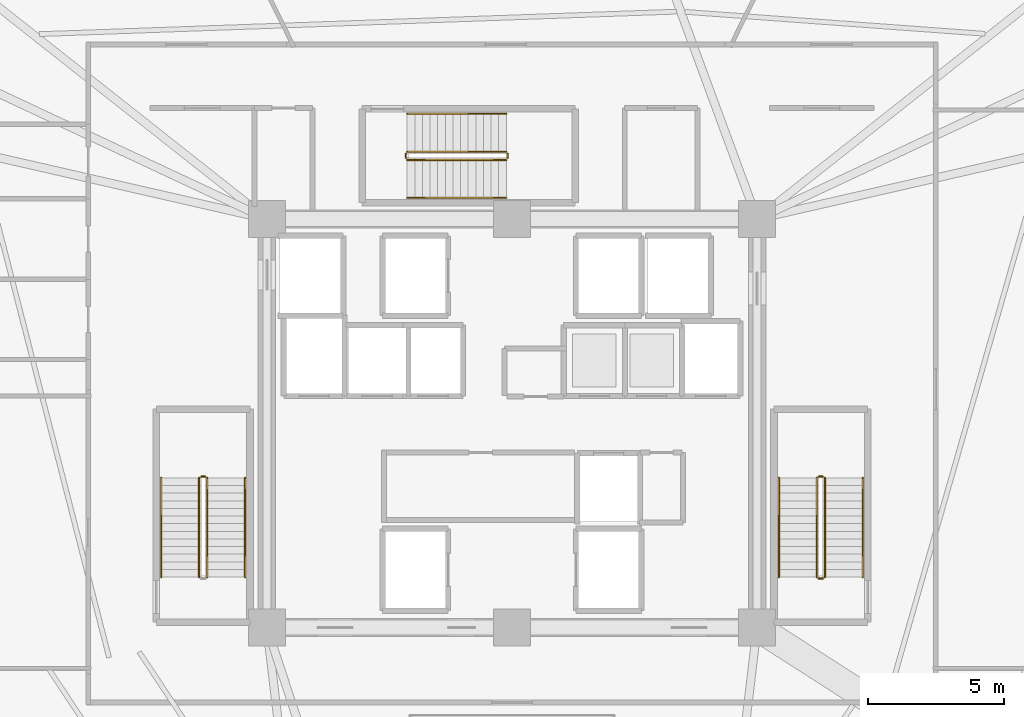
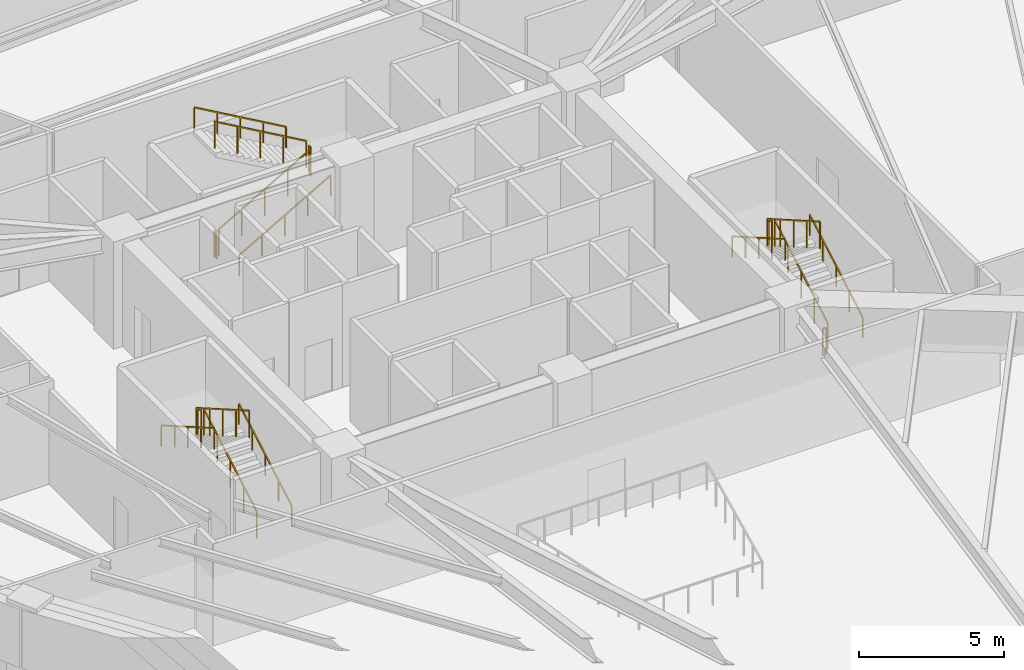
# One storey, part 38 of 39: 17 railings.
"""IFC4 building model written with IfcOpenShell, lengths in metres."""

from ifc_helpers import new_model, si_unit, direction, frame, origin, origin_2d, place, context, subcontext, project, spatial, rectangle, extrude, material, type_object, element, save


model = new_model("IFC4")

# Units and contexts
model_context = context("Model", 3, precision=1e-05, world=origin(), true_north=direction((0.0, 1.0)))
body_context = subcontext(model_context, "Body", "Model", "MODEL_VIEW")
ifc_project = project(units=[si_unit("LENGTHUNIT", "METRE"), si_unit("AREAUNIT", "SQUARE_METRE"), si_unit("VOLUMEUNIT", "CUBIC_METRE"), si_unit("PLANEANGLEUNIT", "RADIAN"), si_unit("MASSUNIT", "GRAM", prefix="KILO")], contexts=[model_context])

# Site, building, storey
site_placement = place(None, origin())
site = spatial("IfcSite", under=ifc_project, at=site_placement, CompositionType="ELEMENT")
building_placement = place(site_placement, origin())
building = spatial("IfcBuilding", under=site, at=building_placement, Name="Liaohun Quay Tower", CompositionType="ELEMENT")
storey_placement = place(building_placement, frame((0.0, 0.0, 189.75)))
storey = spatial("IfcBuildingStorey", under=building, at=storey_placement, Name="L49", CompositionType="ELEMENT", Elevation=189.75)

# Railings
ifc_material_1 = material(Name="Painted tubular steel", Category="steel")
railing_type_1 = type_object("IfcRailingType", Name="RLG-GUARD-STR", PredefinedType="GUARDRAIL", material=ifc_material_1)
railing_1_placement = place(storey_placement, frame((48.81005859375, 48.35009765625, 0.16064453125)))
element("IfcRailing", 1, at=railing_1_placement, inside=storey, type_object=railing_type_1, Name="L49 ST-1 stair guard 1", PredefinedType="GUARDRAIL", context=body_context, shape_type="SweptSolid", body=[
    extrude(rectangle(XDim=0.048095703125, YDim=0.048095703125, at=origin_2d()), frame((0.0, 0.0, 1.1259765625), z_axis=(0.0, 0.8672749571, 0.497829437445), x_axis=(-1.0, 0.0, 0.0)), (0.0, 0.0, 1.0), 4.197021484375),
    extrude(rectangle(XDim=0.0419921875, YDim=0.0419921875, at=origin_2d()), origin(), (0.0, 0.0, 1.0), 1.101806640625),
    extrude(rectangle(XDim=0.0419921875, YDim=0.0419921875, at=origin_2d()), frame((0.0, 0.909912109375, 0.5224609375)), (0.0, 0.0, 1.0), 1.101806640625),
    extrude(rectangle(XDim=0.0419921875, YDim=0.0419921875, at=origin_2d()), frame((0.0, 1.81982421875, 1.044677734375)), (0.0, 0.0, 1.0), 1.101806640625),
    extrude(rectangle(XDim=0.0419921875, YDim=0.0419921875, at=origin_2d()), frame((0.0, 2.72998046875, 1.56689453125)), (0.0, 0.0, 1.0), 1.101806640625),
    extrude(rectangle(XDim=0.0419921875, YDim=0.0419921875, at=origin_2d()), frame((0.0, 3.639892578125, 2.08935546875)), (0.0, 0.0, 1.0), 1.101806640625),
])
railing_2_placement = place(storey_placement, frame((48.72998046875, 52.0400390625, 2.25)))
element("IfcRailing", 2, at=railing_2_placement, inside=storey, type_object=railing_type_1, Name="L49 ST-1 stair guard 2", PredefinedType="GUARDRAIL", context=body_context, shape_type="SweptSolid", body=[
    extrude(rectangle(XDim=0.048095703125, YDim=0.048095703125, at=origin_2d()), frame((0.0, 0.0, 1.1259765625), z_axis=(-1.0, 0.0, 0.0), x_axis=(0.0, -1.0, 0.0)), (0.0, 0.0, 1.0), 0.139892578125),
    extrude(rectangle(XDim=0.0419921875, YDim=0.0419921875, at=origin_2d()), origin(), (0.0, 0.0, 1.0), 1.101806640625),
    extrude(rectangle(XDim=0.0419921875, YDim=0.0419921875, at=origin_2d()), frame((-0.139892578125, 0.0, 0.0)), (0.0, 0.0, 1.0), 1.101806640625),
])
railing_3_placement = place(storey_placement, frame((48.510009765625, 51.989990234375, 2.41064453125)))
element("IfcRailing", 3, at=railing_3_placement, inside=storey, type_object=railing_type_1, Name="L49 ST-1 stair guard 3", PredefinedType="GUARDRAIL", context=body_context, shape_type="SweptSolid", body=[
    extrude(rectangle(XDim=0.048095703125, YDim=0.048095703125, at=origin_2d()), frame((0.0, 0.0, 1.1259765625), z_axis=(0.0, -0.8672749571, 0.497829437445), x_axis=(1.0, 0.0, 0.0)), (0.0, 0.0, 1.0), 4.197021484375),
    extrude(rectangle(XDim=0.0419921875, YDim=0.0419921875, at=origin_2d()), origin(), (0.0, 0.0, 1.0), 1.101806640625),
    extrude(rectangle(XDim=0.0419921875, YDim=0.0419921875, at=origin_2d()), frame((0.0, -0.909912109375, 0.5224609375)), (0.0, 0.0, 1.0), 1.101806640625),
    extrude(rectangle(XDim=0.0419921875, YDim=0.0419921875, at=origin_2d()), frame((0.0, -1.81982421875, 1.044677734375)), (0.0, 0.0, 1.0), 1.101806640625),
    extrude(rectangle(XDim=0.0419921875, YDim=0.0419921875, at=origin_2d()), frame((0.0, -2.72998046875, 1.56689453125)), (0.0, 0.0, 1.0), 1.101806640625),
    extrude(rectangle(XDim=0.0419921875, YDim=0.0419921875, at=origin_2d()), frame((0.0, -3.639892578125, 2.08935546875)), (0.0, 0.0, 1.0), 1.101806640625),
])
railing_4_placement = place(storey_placement, frame((71.489990234375, 48.35009765625, 0.16064453125)))
element("IfcRailing", 4, at=railing_4_placement, inside=storey, type_object=railing_type_1, Name="L49 ST-2 stair guard 1", PredefinedType="GUARDRAIL", context=body_context, shape_type="SweptSolid", body=[
    extrude(rectangle(XDim=0.048095703125, YDim=0.048095703125, at=origin_2d()), frame((0.0, 0.0, 1.1259765625), z_axis=(0.0, 0.8672749571, 0.497829437445), x_axis=(-1.0, 0.0, 0.0)), (0.0, 0.0, 1.0), 4.197021484375),
    extrude(rectangle(XDim=0.0419921875, YDim=0.0419921875, at=origin_2d()), origin(), (0.0, 0.0, 1.0), 1.101806640625),
    extrude(rectangle(XDim=0.0419921875, YDim=0.0419921875, at=origin_2d()), frame((0.0, 0.909912109375, 0.5224609375)), (0.0, 0.0, 1.0), 1.101806640625),
    extrude(rectangle(XDim=0.0419921875, YDim=0.0419921875, at=origin_2d()), frame((0.0, 1.81982421875, 1.044677734375)), (0.0, 0.0, 1.0), 1.101806640625),
    extrude(rectangle(XDim=0.0419921875, YDim=0.0419921875, at=origin_2d()), frame((0.0, 2.72998046875, 1.56689453125)), (0.0, 0.0, 1.0), 1.101806640625),
    extrude(rectangle(XDim=0.0419921875, YDim=0.0419921875, at=origin_2d()), frame((0.0, 3.639892578125, 2.08935546875)), (0.0, 0.0, 1.0), 1.101806640625),
])
railing_5_placement = place(storey_placement, frame((71.409912109375, 52.0400390625, 2.25)))
element("IfcRailing", 5, at=railing_5_placement, inside=storey, type_object=railing_type_1, Name="L49 ST-2 stair guard 2", PredefinedType="GUARDRAIL", context=body_context, shape_type="SweptSolid", body=[
    extrude(rectangle(XDim=0.048095703125, YDim=0.048095703125, at=origin_2d()), frame((0.0, 0.0, 1.1259765625), z_axis=(-1.0, 0.0, 0.0), x_axis=(0.0, -1.0, 0.0)), (0.0, 0.0, 1.0), 0.139892578125),
    extrude(rectangle(XDim=0.0419921875, YDim=0.0419921875, at=origin_2d()), origin(), (0.0, 0.0, 1.0), 1.101806640625),
    extrude(rectangle(XDim=0.0419921875, YDim=0.0419921875, at=origin_2d()), frame((-0.139892578125, 0.0, 0.0)), (0.0, 0.0, 1.0), 1.101806640625),
])
railing_6_placement = place(storey_placement, frame((71.18994140625, 51.989990234375, 2.41064453125)))
element("IfcRailing", 6, at=railing_6_placement, inside=storey, type_object=railing_type_1, Name="L49 ST-2 stair guard 3", PredefinedType="GUARDRAIL", context=body_context, shape_type="SweptSolid", body=[
    extrude(rectangle(XDim=0.048095703125, YDim=0.048095703125, at=origin_2d()), frame((0.0, 0.0, 1.1259765625), z_axis=(0.0, -0.8672749571, 0.497829437445), x_axis=(1.0, 0.0, 0.0)), (0.0, 0.0, 1.0), 4.197021484375),
    extrude(rectangle(XDim=0.0419921875, YDim=0.0419921875, at=origin_2d()), origin(), (0.0, 0.0, 1.0), 1.101806640625),
    extrude(rectangle(XDim=0.0419921875, YDim=0.0419921875, at=origin_2d()), frame((0.0, -0.909912109375, 0.5224609375)), (0.0, 0.0, 1.0), 1.101806640625),
    extrude(rectangle(XDim=0.0419921875, YDim=0.0419921875, at=origin_2d()), frame((0.0, -1.81982421875, 1.044677734375)), (0.0, 0.0, 1.0), 1.101806640625),
    extrude(rectangle(XDim=0.0419921875, YDim=0.0419921875, at=origin_2d()), frame((0.0, -2.72998046875, 1.56689453125)), (0.0, 0.0, 1.0), 1.101806640625),
    extrude(rectangle(XDim=0.0419921875, YDim=0.0419921875, at=origin_2d()), frame((0.0, -3.639892578125, 2.08935546875)), (0.0, 0.0, 1.0), 1.101806640625),
])
railing_7_placement = place(storey_placement, frame((71.409912109375, 48.300048828125, 0.0)))
element("IfcRailing", 7, at=railing_7_placement, inside=storey, type_object=railing_type_1, Name="L49 ST-2 stair guard 4", PredefinedType="GUARDRAIL", context=body_context, shape_type="SweptSolid", body=[
    extrude(rectangle(XDim=0.048095703125, YDim=0.048095703125, at=origin_2d()), frame((0.0, 0.0, 1.1259765625), z_axis=(-1.0, 0.0, 0.0), x_axis=(0.0, -1.0, 0.0)), (0.0, 0.0, 1.0), 0.139892578125),
    extrude(rectangle(XDim=0.0419921875, YDim=0.0419921875, at=origin_2d()), origin(), (0.0, 0.0, 1.0), 1.101806640625),
    extrude(rectangle(XDim=0.0419921875, YDim=0.0419921875, at=origin_2d()), frame((-0.139892578125, 0.0, 0.0)), (0.0, 0.0, 1.0), 1.101806640625),
])
railing_8_placement = place(storey_placement, frame((56.14990234375, 63.669921875, 0.16064453125)))
element("IfcRailing", 8, at=railing_8_placement, inside=storey, type_object=railing_type_1, Name="L49 ST-3 stair guard 1", PredefinedType="GUARDRAIL", context=body_context, shape_type="SweptSolid", body=[
    extrude(rectangle(XDim=0.048095703125, YDim=0.048095703125, at=origin_2d()), frame((0.0, 0.0, 1.1259765625), z_axis=(0.867289372828, 0.0, 0.497804322781), x_axis=(0.0, 1.0, 0.0)), (0.0, 0.0, 1.0), 4.197021484375),
    extrude(rectangle(XDim=0.0419921875, YDim=0.0419921875, at=origin_2d()), origin(), (0.0, 0.0, 1.0), 1.101806640625),
    extrude(rectangle(XDim=0.0419921875, YDim=0.0419921875, at=origin_2d()), frame((0.91015625, 0.0, 0.5224609375)), (0.0, 0.0, 1.0), 1.101806640625),
    extrude(rectangle(XDim=0.0419921875, YDim=0.0419921875, at=origin_2d()), frame((1.820068359375, 0.0, 1.044677734375)), (0.0, 0.0, 1.0), 1.101806640625),
    extrude(rectangle(XDim=0.0419921875, YDim=0.0419921875, at=origin_2d()), frame((2.72998046875, 0.0, 1.56689453125)), (0.0, 0.0, 1.0), 1.101806640625),
    extrude(rectangle(XDim=0.0419921875, YDim=0.0419921875, at=origin_2d()), frame((3.64013671875, 0.0, 2.08935546875)), (0.0, 0.0, 1.0), 1.101806640625),
])
railing_9_placement = place(storey_placement, frame((59.840087890625, 63.75, 2.25)))
element("IfcRailing", 9, at=railing_9_placement, inside=storey, type_object=railing_type_1, Name="L49 ST-3 stair guard 2", PredefinedType="GUARDRAIL", context=body_context, shape_type="SweptSolid", body=[
    extrude(rectangle(XDim=0.048095703125, YDim=0.048095703125, at=origin_2d()), frame((0.0, 0.0, 1.1259765625), z_axis=(0.0, 1.0, 0.0), x_axis=(-1.0, 0.0, 0.0)), (0.0, 0.0, 1.0), 0.139892578125),
    extrude(rectangle(XDim=0.0419921875, YDim=0.0419921875, at=origin_2d()), origin(), (0.0, 0.0, 1.0), 1.101806640625),
    extrude(rectangle(XDim=0.0419921875, YDim=0.0419921875, at=origin_2d()), frame((0.0, 0.139892578125, 0.0)), (0.0, 0.0, 1.0), 1.101806640625),
])
railing_10_placement = place(storey_placement, frame((59.7900390625, 63.969970703125, 2.41064453125)))
element("IfcRailing", 10, at=railing_10_placement, inside=storey, type_object=railing_type_1, Name="L49 ST-3 stair guard 3", PredefinedType="GUARDRAIL", context=body_context, shape_type="SweptSolid", body=[
    extrude(rectangle(XDim=0.048095703125, YDim=0.048095703125, at=origin_2d()), frame((0.0, 0.0, 1.1259765625), z_axis=(-0.867289372828, 0.0, 0.497804322781), x_axis=(0.0, -1.0, 0.0)), (0.0, 0.0, 1.0), 4.197021484375),
    extrude(rectangle(XDim=0.0419921875, YDim=0.0419921875, at=origin_2d()), origin(), (0.0, 0.0, 1.0), 1.101806640625),
    extrude(rectangle(XDim=0.0419921875, YDim=0.0419921875, at=origin_2d()), frame((-0.91015625, 0.0, 0.5224609375)), (0.0, 0.0, 1.0), 1.101806640625),
    extrude(rectangle(XDim=0.0419921875, YDim=0.0419921875, at=origin_2d()), frame((-1.820068359375, 0.0, 1.044677734375)), (0.0, 0.0, 1.0), 1.101806640625),
    extrude(rectangle(XDim=0.0419921875, YDim=0.0419921875, at=origin_2d()), frame((-2.72998046875, 0.0, 1.56689453125)), (0.0, 0.0, 1.0), 1.101806640625),
    extrude(rectangle(XDim=0.0419921875, YDim=0.0419921875, at=origin_2d()), frame((-3.64013671875, 0.0, 2.08935546875)), (0.0, 0.0, 1.0), 1.101806640625),
])
railing_11_placement = place(storey_placement, frame((56.10009765625, 63.75, 0.0)))
element("IfcRailing", 11, at=railing_11_placement, inside=storey, type_object=railing_type_1, Name="L49 ST-3 stair guard 4", PredefinedType="GUARDRAIL", context=body_context, shape_type="SweptSolid", body=[
    extrude(rectangle(XDim=0.048095703125, YDim=0.048095703125, at=origin_2d()), frame((0.0, 0.0, 1.1259765625), z_axis=(0.0, 1.0, 0.0), x_axis=(-1.0, 0.0, 0.0)), (0.0, 0.0, 1.0), 0.139892578125),
    extrude(rectangle(XDim=0.0419921875, YDim=0.0419921875, at=origin_2d()), origin(), (0.0, 0.0, 1.0), 1.101806640625),
    extrude(rectangle(XDim=0.0419921875, YDim=0.0419921875, at=origin_2d()), frame((0.0, 0.139892578125, 0.0)), (0.0, 0.0, 1.0), 1.101806640625),
])
ifc_material_2 = material(Name="Brushed stainless steel", Category="steel")
railing_type_2 = type_object("IfcRailingType", Name="RLG-HND-STR", PredefinedType="HANDRAIL", material=ifc_material_2)
railing_12_placement = place(storey_placement, frame((50.199951171875, 48.35009765625, 0.16064453125)))
element("IfcRailing", 12, at=railing_12_placement, inside=storey, type_object=railing_type_2, Name="L49 ST-1 stair handrail 1", PredefinedType="HANDRAIL", context=body_context, shape_type="SweptSolid", body=[
    extrude(rectangle(XDim=0.048095703125, YDim=0.048095703125, at=origin_2d()), frame((0.0, 0.0, 0.8759765625), z_axis=(0.0, 0.8672749571, 0.497829437445), x_axis=(-1.0, 0.0, 0.0)), (0.0, 0.0, 1.0), 4.197021484375),
    extrude(rectangle(XDim=0.0419921875, YDim=0.0419921875, at=origin_2d()), origin(), (0.0, 0.0, 1.0), 0.851806640625),
    extrude(rectangle(XDim=0.0419921875, YDim=0.0419921875, at=origin_2d()), frame((0.0, 0.909912109375, 0.5224609375)), (0.0, 0.0, 1.0), 0.851806640625),
    extrude(rectangle(XDim=0.0419921875, YDim=0.0419921875, at=origin_2d()), frame((0.0, 1.81982421875, 1.044677734375)), (0.0, 0.0, 1.0), 0.851806640625),
    extrude(rectangle(XDim=0.0419921875, YDim=0.0419921875, at=origin_2d()), frame((0.0, 2.72998046875, 1.56689453125)), (0.0, 0.0, 1.0), 0.851806640625),
    extrude(rectangle(XDim=0.0419921875, YDim=0.0419921875, at=origin_2d()), frame((0.0, 3.639892578125, 2.08935546875)), (0.0, 0.0, 1.0), 0.851806640625),
])
railing_13_placement = place(storey_placement, frame((47.1201171875, 51.989990234375, 2.41064453125)))
element("IfcRailing", 13, at=railing_13_placement, inside=storey, type_object=railing_type_2, Name="L49 ST-1 stair handrail 2", PredefinedType="HANDRAIL", context=body_context, shape_type="SweptSolid", body=[
    extrude(rectangle(XDim=0.048095703125, YDim=0.048095703125, at=origin_2d()), frame((0.0, 0.0, 0.8759765625), z_axis=(0.0, -0.8672749571, 0.497829437445), x_axis=(1.0, 0.0, 0.0)), (0.0, 0.0, 1.0), 4.197021484375),
    extrude(rectangle(XDim=0.0419921875, YDim=0.0419921875, at=origin_2d()), origin(), (0.0, 0.0, 1.0), 0.851806640625),
    extrude(rectangle(XDim=0.0419921875, YDim=0.0419921875, at=origin_2d()), frame((0.0, -0.909912109375, 0.5224609375)), (0.0, 0.0, 1.0), 0.851806640625),
    extrude(rectangle(XDim=0.0419921875, YDim=0.0419921875, at=origin_2d()), frame((0.0, -1.81982421875, 1.044677734375)), (0.0, 0.0, 1.0), 0.851806640625),
    extrude(rectangle(XDim=0.0419921875, YDim=0.0419921875, at=origin_2d()), frame((0.0, -2.72998046875, 1.56689453125)), (0.0, 0.0, 1.0), 0.851806640625),
    extrude(rectangle(XDim=0.0419921875, YDim=0.0419921875, at=origin_2d()), frame((0.0, -3.639892578125, 2.08935546875)), (0.0, 0.0, 1.0), 0.851806640625),
])
railing_14_placement = place(storey_placement, frame((72.8798828125, 48.35009765625, 0.16064453125)))
element("IfcRailing", 14, at=railing_14_placement, inside=storey, type_object=railing_type_2, Name="L49 ST-2 stair handrail 1", PredefinedType="HANDRAIL", context=body_context, shape_type="SweptSolid", body=[
    extrude(rectangle(XDim=0.048095703125, YDim=0.048095703125, at=origin_2d()), frame((0.0, 0.0, 0.8759765625), z_axis=(0.0, 0.8672749571, 0.497829437445), x_axis=(-1.0, 0.0, 0.0)), (0.0, 0.0, 1.0), 4.197021484375),
    extrude(rectangle(XDim=0.0419921875, YDim=0.0419921875, at=origin_2d()), origin(), (0.0, 0.0, 1.0), 0.851806640625),
    extrude(rectangle(XDim=0.0419921875, YDim=0.0419921875, at=origin_2d()), frame((0.0, 0.909912109375, 0.5224609375)), (0.0, 0.0, 1.0), 0.851806640625),
    extrude(rectangle(XDim=0.0419921875, YDim=0.0419921875, at=origin_2d()), frame((0.0, 1.81982421875, 1.044677734375)), (0.0, 0.0, 1.0), 0.851806640625),
    extrude(rectangle(XDim=0.0419921875, YDim=0.0419921875, at=origin_2d()), frame((0.0, 2.72998046875, 1.56689453125)), (0.0, 0.0, 1.0), 0.851806640625),
    extrude(rectangle(XDim=0.0419921875, YDim=0.0419921875, at=origin_2d()), frame((0.0, 3.639892578125, 2.08935546875)), (0.0, 0.0, 1.0), 0.851806640625),
])
railing_15_placement = place(storey_placement, frame((69.800048828125, 51.989990234375, 2.41064453125)))
element("IfcRailing", 15, at=railing_15_placement, inside=storey, type_object=railing_type_2, Name="L49 ST-2 stair handrail 2", PredefinedType="HANDRAIL", context=body_context, shape_type="SweptSolid", body=[
    extrude(rectangle(XDim=0.048095703125, YDim=0.048095703125, at=origin_2d()), frame((0.0, 0.0, 0.8759765625), z_axis=(0.0, -0.8672749571, 0.497829437445), x_axis=(1.0, 0.0, 0.0)), (0.0, 0.0, 1.0), 4.197021484375),
    extrude(rectangle(XDim=0.0419921875, YDim=0.0419921875, at=origin_2d()), origin(), (0.0, 0.0, 1.0), 0.851806640625),
    extrude(rectangle(XDim=0.0419921875, YDim=0.0419921875, at=origin_2d()), frame((0.0, -0.909912109375, 0.5224609375)), (0.0, 0.0, 1.0), 0.851806640625),
    extrude(rectangle(XDim=0.0419921875, YDim=0.0419921875, at=origin_2d()), frame((0.0, -1.81982421875, 1.044677734375)), (0.0, 0.0, 1.0), 0.851806640625),
    extrude(rectangle(XDim=0.0419921875, YDim=0.0419921875, at=origin_2d()), frame((0.0, -2.72998046875, 1.56689453125)), (0.0, 0.0, 1.0), 0.851806640625),
    extrude(rectangle(XDim=0.0419921875, YDim=0.0419921875, at=origin_2d()), frame((0.0, -3.639892578125, 2.08935546875)), (0.0, 0.0, 1.0), 0.851806640625),
])
railing_16_placement = place(storey_placement, frame((56.14990234375, 62.280029296875, 0.16064453125)))
element("IfcRailing", 16, at=railing_16_placement, inside=storey, type_object=railing_type_2, Name="L49 ST-3 stair handrail 1", PredefinedType="HANDRAIL", context=body_context, shape_type="SweptSolid", body=[
    extrude(rectangle(XDim=0.048095703125, YDim=0.048095703125, at=origin_2d()), frame((0.0, 0.0, 0.8759765625), z_axis=(0.867289372828, 0.0, 0.497804322781), x_axis=(0.0, 1.0, 0.0)), (0.0, 0.0, 1.0), 4.197021484375),
    extrude(rectangle(XDim=0.0419921875, YDim=0.0419921875, at=origin_2d()), origin(), (0.0, 0.0, 1.0), 0.851806640625),
    extrude(rectangle(XDim=0.0419921875, YDim=0.0419921875, at=origin_2d()), frame((0.91015625, 0.0, 0.5224609375)), (0.0, 0.0, 1.0), 0.851806640625),
    extrude(rectangle(XDim=0.0419921875, YDim=0.0419921875, at=origin_2d()), frame((1.820068359375, 0.0, 1.044677734375)), (0.0, 0.0, 1.0), 0.851806640625),
    extrude(rectangle(XDim=0.0419921875, YDim=0.0419921875, at=origin_2d()), frame((2.72998046875, 0.0, 1.56689453125)), (0.0, 0.0, 1.0), 0.851806640625),
    extrude(rectangle(XDim=0.0419921875, YDim=0.0419921875, at=origin_2d()), frame((3.64013671875, 0.0, 2.08935546875)), (0.0, 0.0, 1.0), 0.851806640625),
])
railing_17_placement = place(storey_placement, frame((59.7900390625, 65.360107421875, 2.41064453125)))
element("IfcRailing", 17, at=railing_17_placement, inside=storey, type_object=railing_type_2, Name="L49 ST-3 stair handrail 2", PredefinedType="HANDRAIL", context=body_context, shape_type="SweptSolid", body=[
    extrude(rectangle(XDim=0.048095703125, YDim=0.048095703125, at=origin_2d()), frame((0.0, 0.0, 0.8759765625), z_axis=(-0.867289372828, 0.0, 0.497804322781), x_axis=(0.0, -1.0, 0.0)), (0.0, 0.0, 1.0), 4.197021484375),
    extrude(rectangle(XDim=0.0419921875, YDim=0.0419921875, at=origin_2d()), origin(), (0.0, 0.0, 1.0), 0.851806640625),
    extrude(rectangle(XDim=0.0419921875, YDim=0.0419921875, at=origin_2d()), frame((-0.91015625, 0.0, 0.5224609375)), (0.0, 0.0, 1.0), 0.851806640625),
    extrude(rectangle(XDim=0.0419921875, YDim=0.0419921875, at=origin_2d()), frame((-1.820068359375, 0.0, 1.044677734375)), (0.0, 0.0, 1.0), 0.851806640625),
    extrude(rectangle(XDim=0.0419921875, YDim=0.0419921875, at=origin_2d()), frame((-2.72998046875, 0.0, 1.56689453125)), (0.0, 0.0, 1.0), 0.851806640625),
    extrude(rectangle(XDim=0.0419921875, YDim=0.0419921875, at=origin_2d()), frame((-3.64013671875, 0.0, 2.08935546875)), (0.0, 0.0, 1.0), 0.851806640625),
])

save(model, "model.ifc")
